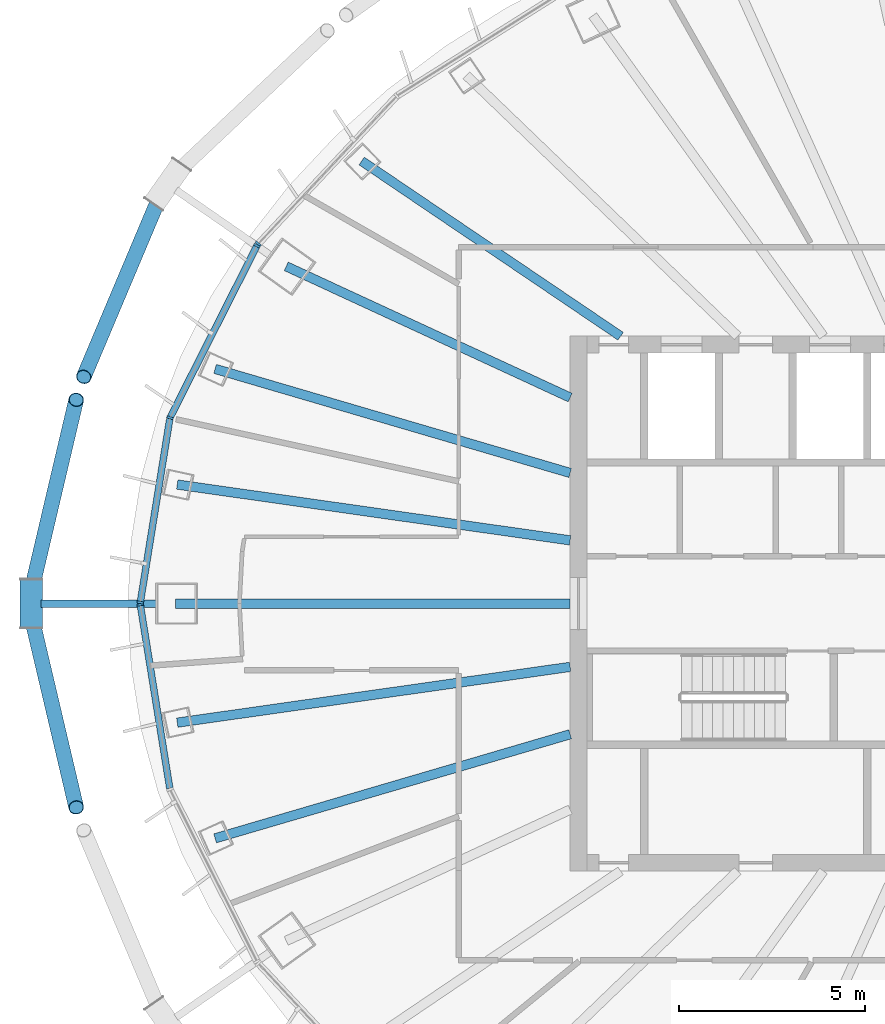
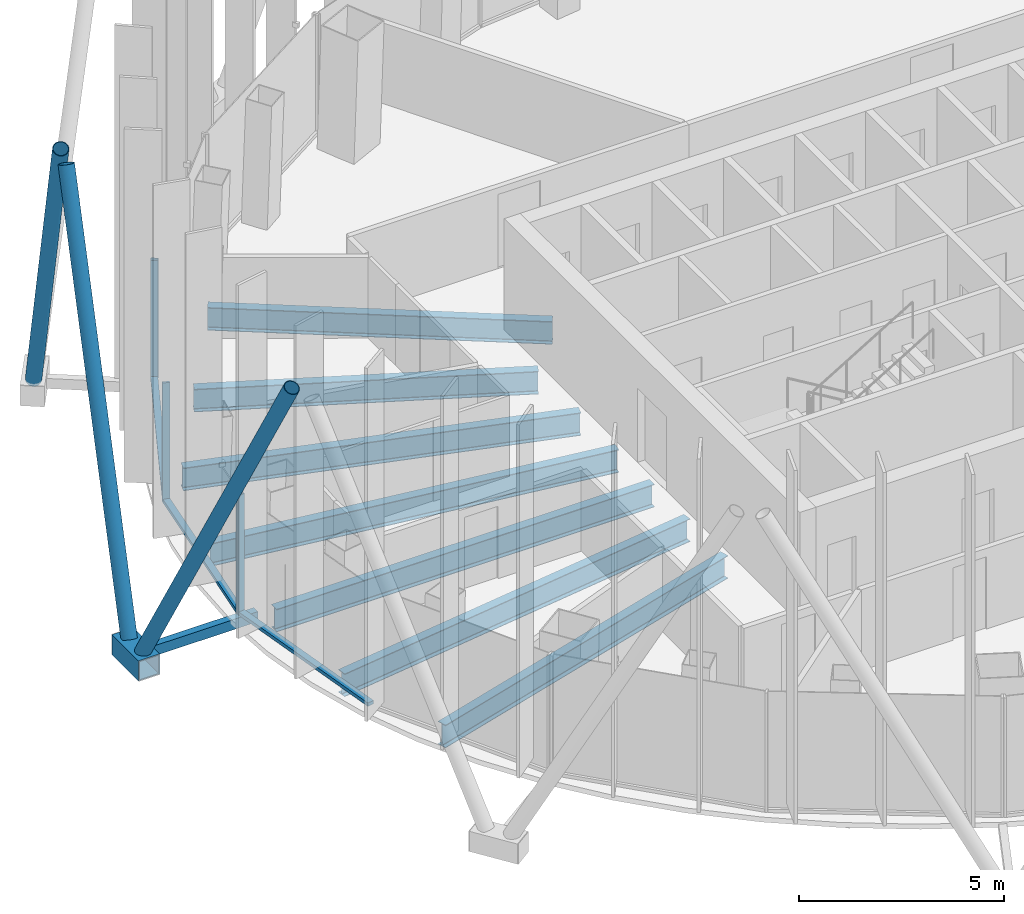
# One storey, part 3 of 19: 13 members, 7 beams, 3 elements without a shape of their own.
"""IFC4 building model written with IfcOpenShell, lengths in metres."""

from ifc_helpers import new_model, si_unit, direction, frame, origin, origin_2d, place, context, subcontext, project, spatial, rectangle, hollow_rectangle, hollow_circle, i_section, extrude, material, layer, layer_set, material_profile, profile_set, type_object, element, aggregate, save


model = new_model("IFC4")

# Units and contexts
model_context = context("Model", 3, precision=1e-05, world=origin(), true_north=direction((0.0, 1.0)))
body_context = subcontext(model_context, "Body", "Model", "MODEL_VIEW")
ifc_project = project(units=[si_unit("LENGTHUNIT", "METRE"), si_unit("AREAUNIT", "SQUARE_METRE"), si_unit("VOLUMEUNIT", "CUBIC_METRE"), si_unit("PLANEANGLEUNIT", "RADIAN"), si_unit("MASSUNIT", "GRAM", prefix="KILO")], contexts=[model_context])

# Site, building, storey
site_placement = place(None, origin())
site = spatial("IfcSite", under=ifc_project, at=site_placement, CompositionType="ELEMENT")
building_placement = place(site_placement, origin())
building = spatial("IfcBuilding", under=site, at=building_placement, Name="Siaravel Broadcast Tower", CompositionType="ELEMENT")
storey_placement = place(building_placement, frame((0.0, 0.0, 168.199951171875)))
storey = spatial("IfcBuildingStorey", under=building, at=storey_placement, Name="L40", CompositionType="ELEMENT", Elevation=168.199951171875)

# Beams
ifc_material_1 = material(Name="Steel S355", Category="steel")
ifc_material_profile_1 = material_profile(ifc_material_1, i_section(OverallWidth=0.2529296875, OverallDepth=0.677978515625, WebThickness=0.01171875, FlangeThickness=0.01611328125, FilletRadius=0.01513671875, at=origin_2d()))
ifc_profile_set_1 = profile_set([ifc_material_profile_1], Name="Steel S355")
beam_type = type_object("IfcBeamType", Name="BM-UB 686x254x125", PredefinedType="BEAM", material=ifc_profile_set_1)
beam_1_placement = place(storey_placement, frame((-17.6123046875, 11.9169921875, -0.489013671875), z_axis=(0.828215309, -0.56041003, 0.0), x_axis=(0.56041003, 0.828215309, 0.0)))
element("IfcBeam", 1, at=beam_1_placement, inside=storey, type_object=beam_type, Name="Radial beam RB15", PredefinedType="BEAM", context=body_context, shape_type="SweptSolid", body=[
    extrude(i_section(OverallWidth=0.2529296875, OverallDepth=0.677978515625, WebThickness=0.01171875, FlangeThickness=0.01611328125, FilletRadius=0.01513671875, at=origin_2d()), origin(), (0.0, 0.0, 1.0), 8.417236328125),
])
beam_2_placement = place(storey_placement, frame((-19.643798828125, 9.081298828125, -0.489013671875), z_axis=(0.907697859, -0.419624351, 0.0), x_axis=(0.419624351, 0.907697859, 0.0)))
element("IfcBeam", 2, at=beam_2_placement, inside=storey, type_object=beam_type, Name="Radial beam RB16", PredefinedType="BEAM", context=body_context, shape_type="SweptSolid", body=[
    extrude(i_section(OverallWidth=0.2529296875, OverallDepth=0.677978515625, WebThickness=0.01171875, FlangeThickness=0.01611328125, FilletRadius=0.01513671875, at=origin_2d()), origin(), (0.0, 0.0, 1.0), 8.421142578125),
])
beam_3_placement = place(storey_placement, frame((-21.55908203125, 6.320556640625, -0.489013671875), z_axis=(0.959609837, -0.281334252, 0.0), x_axis=(0.281334252, 0.959609837, 0.0)))
element("IfcBeam", 3, at=beam_3_placement, inside=storey, type_object=beam_type, Name="Radial beam RB17", PredefinedType="BEAM", context=body_context, shape_type="SweptSolid", body=[
    extrude(i_section(OverallWidth=0.2529296875, OverallDepth=0.677978515625, WebThickness=0.01171875, FlangeThickness=0.01611328125, FilletRadius=0.01513671875, at=origin_2d()), origin(), (0.0, 0.0, 1.0), 9.96142578125),
])
beam_4_placement = place(storey_placement, frame((-22.578369140625, 3.20556640625, -0.489013671875), z_axis=(0.990070236, -0.140573567, 0.0), x_axis=(0.140573567, 0.990070236, 0.0)))
element("IfcBeam", 4, at=beam_4_placement, inside=storey, type_object=beam_type, Name="Radial beam RB18", PredefinedType="BEAM", context=body_context, shape_type="SweptSolid", body=[
    extrude(i_section(OverallWidth=0.2529296875, OverallDepth=0.677978515625, WebThickness=0.01171875, FlangeThickness=0.01611328125, FilletRadius=0.01513671875, at=origin_2d()), origin(), (0.0, 0.0, 1.0), 10.6845703125),
])
beam_5_placement = place(storey_placement, frame((-22.62060546875, 0.0, -0.489013671875), z_axis=(1.0, 0.0, 0.0), x_axis=(0.0, 1.0, 0.0)))
element("IfcBeam", 5, at=beam_5_placement, inside=storey, type_object=beam_type, Name="Radial beam RB19", PredefinedType="BEAM", context=body_context, shape_type="SweptSolid", body=[
    extrude(i_section(OverallWidth=0.2529296875, OverallDepth=0.677978515625, WebThickness=0.01171875, FlangeThickness=0.01611328125, FilletRadius=0.01513671875, at=origin_2d()), origin(), (0.0, 0.0, 1.0), 10.62060546875),
])
beam_6_placement = place(storey_placement, frame((-22.578369140625, -3.20556640625, -0.489013671875), z_axis=(0.990070236, 0.140573567, 0.0), x_axis=(-0.140573567, 0.990070236, 0.0)))
element("IfcBeam", 6, at=beam_6_placement, inside=storey, type_object=beam_type, Name="Radial beam RB20", PredefinedType="BEAM", context=body_context, shape_type="SweptSolid", body=[
    extrude(i_section(OverallWidth=0.2529296875, OverallDepth=0.677978515625, WebThickness=0.01171875, FlangeThickness=0.01611328125, FilletRadius=0.01513671875, at=origin_2d()), origin(), (0.0, 0.0, 1.0), 10.6845703125),
])
beam_7_placement = place(storey_placement, frame((-21.55908203125, -6.320556640625, -0.489013671875), z_axis=(0.959609837, 0.281334252, 0.0), x_axis=(-0.281334252, 0.959609837, 0.0)))
element("IfcBeam", 7, at=beam_7_placement, inside=storey, type_object=beam_type, Name="Radial beam RB21", PredefinedType="BEAM", context=body_context, shape_type="SweptSolid", body=[
    extrude(i_section(OverallWidth=0.2529296875, OverallDepth=0.677978515625, WebThickness=0.01171875, FlangeThickness=0.01611328125, FilletRadius=0.01513671875, at=origin_2d()), origin(), (0.0, 0.0, 1.0), 9.96142578125),
])

# Curtain wall, member
ifc_material_2 = material(Name="Aluminium 6063-T6", Category="aluminium")
ifc_layer = layer(ifc_material_2, 0.179931640625)
ifc_layer_set = layer_set([ifc_layer], Name="Aluminium 6063-T6")
curtain_wall_type = type_object("IfcCurtainWallType", Name="Unitised curtain wall, zone 3", PredefinedType="NOTDEFINED", material=ifc_layer_set)
curtain_wall_1_placement = place(storey_placement, origin())
curtain_wall_1 = element("IfcCurtainWall", 8, at=curtain_wall_1_placement, inside=storey, type_object=curtain_wall_type, Name="L40 Unitised curtain wall, zone 3 05", PredefinedType="NOTDEFINED")
ifc_material_profile_2 = material_profile(ifc_material_2, rectangle(XDim=0.179931640625, YDim=0.06005859375, at=origin_2d()))
ifc_profile_set_2 = profile_set([ifc_material_profile_2], Name="Aluminium 6063-T6")
member_type_1 = type_object("IfcMemberType", Name="CW-Z3 mullion", PredefinedType="MULLION", material=ifc_profile_set_2)
member_1_placement = place(storey_placement, frame((-20.396728515625, 9.68701171875, 0.0), z_axis=(0.0, 0.0, 1.0), x_axis=(0.729804878, -0.683655498, 0.0)))
member_1 = element("IfcMember", 9, at=member_1_placement, type_object=member_type_1, Name="CW-Z3 mullion 3", PredefinedType="MULLION", context=body_context, shape_type="SweptSolid", body=[
    extrude(rectangle(XDim=0.179931640625, YDim=0.06005859375, at=origin_2d()), origin(), (0.0, 0.0, 1.0), 3.550048828125),
])
aggregate(curtain_wall_1, [member_1])

# Curtain wall, members
curtain_wall_2_placement = place(storey_placement, origin())
curtain_wall_2 = element("IfcCurtainWall", 10, at=curtain_wall_2_placement, inside=storey, type_object=curtain_wall_type, Name="L40 Unitised curtain wall, zone 3 06", PredefinedType="NOTDEFINED")
member_2_placement = place(storey_placement, frame((-20.430908203125, 9.63818359375, 0.0), z_axis=(0.0, 0.0, 1.0), x_axis=(0.892391915, -0.4512612, 0.0)))
member_2 = element("IfcMember", 11, at=member_2_placement, type_object=member_type_1, Name="CW-Z3 mullion 1", PredefinedType="MULLION", context=body_context, shape_type="SweptSolid", body=[
    extrude(rectangle(XDim=0.179931640625, YDim=0.06005859375, at=origin_2d()), origin(), (0.0, 0.0, 1.0), 3.550048828125),
])
member_3_placement = place(storey_placement, frame((-22.7744140625, 5.003662109375, 0.0), z_axis=(0.0, 0.0, 1.0), x_axis=(0.951177137, -0.308645515, 0.0)))
member_3 = element("IfcMember", 12, at=member_3_placement, type_object=member_type_1, Name="CW-Z3 mullion 2", PredefinedType="MULLION", context=body_context, shape_type="SweptSolid", body=[
    extrude(rectangle(XDim=0.179931640625, YDim=0.06005859375, at=origin_2d()), origin(), (0.0, 0.0, 1.0), 3.550048828125),
])
member_4_placement = place(storey_placement, frame((-23.573974609375, 0.029541015625, 0.0), z_axis=(0.0, 0.0, 1.0), x_axis=(0.98732916, -0.15868563, 0.0)))
member_4 = element("IfcMember", 13, at=member_4_placement, type_object=member_type_1, Name="CW-Z3 mullion 3", PredefinedType="MULLION", context=body_context, shape_type="SweptSolid", body=[
    extrude(rectangle(XDim=0.179931640625, YDim=0.06005859375, at=origin_2d()), origin(), (0.0, 0.0, 1.0), 3.550048828125),
])

# Curtain wall, member
curtain_wall_3_placement = place(storey_placement, origin())
curtain_wall_3 = element("IfcCurtainWall", 14, at=curtain_wall_3_placement, inside=storey, type_object=curtain_wall_type, Name="L40 Unitised curtain wall, zone 3 07", PredefinedType="NOTDEFINED")
member_5_placement = place(storey_placement, frame((-23.573974609375, -0.029541015625, 0.0), z_axis=(0.0, 0.0, 1.0), x_axis=(0.98732916, 0.15868563, 0.0)))
member_5 = element("IfcMember", 15, at=member_5_placement, type_object=member_type_1, Name="CW-Z3 mullion 1", PredefinedType="MULLION", context=body_context, shape_type="SweptSolid", body=[
    extrude(rectangle(XDim=0.179931640625, YDim=0.06005859375, at=origin_2d()), origin(), (0.0, 0.0, 1.0), 3.550048828125),
])

# Member
ifc_material_profile_3 = material_profile(ifc_material_2, rectangle(XDim=0.179931640625, YDim=0.10009765625, at=origin_2d()))
ifc_profile_set_3 = profile_set([ifc_material_profile_3], Name="Aluminium 6063-T6")
member_type_2 = type_object("IfcMemberType", Name="CW-Z3 transom", PredefinedType="USERDEFINED", material=ifc_profile_set_3)
member_6_placement = place(storey_placement, frame((-20.4443359375, 9.611572265625, 0.050048828125), z_axis=(-0.451279947, -0.892382435, 0.0), x_axis=(0.892382435, -0.451279947, 0.0)))
member_6 = element("IfcMember", 16, at=member_6_placement, type_object=member_type_2, Name="CW-Z3 transom 1", ObjectType="TRANSOM", PredefinedType="USERDEFINED", context=body_context, shape_type="SweptSolid", body=[
    extrude(rectangle(XDim=0.179931640625, YDim=0.10009765625, at=origin_2d()), origin(), (0.0, 0.0, 1.0), 5.133544921875),
])

member_7_placement = place(storey_placement, frame((-22.779296875, 4.97412109375, 0.050048828125), z_axis=(-0.158654191, -0.987334213, 0.0), x_axis=(0.987334213, -0.158654191, 0.0)))
member_7 = element("IfcMember", 17, at=member_7_placement, type_object=member_type_2, Name="CW-Z3 transom 2", ObjectType="TRANSOM", PredefinedType="USERDEFINED", context=body_context, shape_type="SweptSolid", body=[
    extrude(rectangle(XDim=0.179931640625, YDim=0.10009765625, at=origin_2d()), origin(), (0.0, 0.0, 1.0), 4.97802734375),
])

aggregate(curtain_wall_2, [member_2, member_3, member_4, member_6, member_7])

member_8_placement = place(storey_placement, frame((-23.569091796875, -0.05908203125, 0.050048828125), z_axis=(0.158654191, -0.987334213, 0.0), x_axis=(0.987334213, 0.158654191, 0.0)))
member_8 = element("IfcMember", 18, at=member_8_placement, type_object=member_type_2, Name="CW-Z3 transom 1", ObjectType="TRANSOM", PredefinedType="USERDEFINED", context=body_context, shape_type="SweptSolid", body=[
    extrude(rectangle(XDim=0.179931640625, YDim=0.10009765625, at=origin_2d()), origin(), (0.0, 0.0, 1.0), 4.97802734375),
])

aggregate(curtain_wall_3, [member_5, member_8])

# Members
ifc_material_3 = material(Name="Steel S460", Category="steel")
ifc_material_profile_4 = material_profile(ifc_material_3, hollow_circle(Radius=0.203125, WallThickness=0.01611328125, at=origin_2d()))
ifc_profile_set_4 = profile_set([ifc_material_profile_4], Name="Steel S460")
member_type_3 = type_object("IfcMemberType", Name="Diagrid diagonal CHS 406.4x16", PredefinedType="BRACE", material=ifc_profile_set_4)
member_9_placement = place(storey_placement, frame((-23.0205078125, 11.027099609375, 0.070068359375), z_axis=(-0.175489566, -0.415980615, 0.892279967), x_axis=(0.921365951, -0.388696263, 0.0)))
element("IfcMember", 19, at=member_9_placement, inside=storey, type_object=member_type_3, Name="Diagrid diagonal R17 station 30A", PredefinedType="BRACE", context=body_context, shape_type="SweptSolid", body=[
    extrude(hollow_circle(Radius=0.203125, WallThickness=0.01611328125, at=origin_2d()), origin(), (0.0, 0.0, 1.0), 11.8349609375),
])
for number, where, z_axis, x_axis, name in (
    (20, (-26.5126953125, 0.323486328125, 0.070068359375), (0.102731704, 0.437079711, 0.893536526), (-0.97347205, 0.22880596, 0.0), "Diagrid diagonal R17 station 36C"),
    (21, (-26.5126953125, -0.323486328125, 0.070068359375), (0.102731704, -0.437079711, 0.893536526), (0.97347205, 0.22880596, 0.0), "Diagrid diagonal R17 station 36A"),
):
    element("IfcMember", number, at=place(storey_placement, frame(where, z_axis=z_axis, x_axis=x_axis)), inside=storey, type_object=member_type_3, Name=name, PredefinedType="BRACE", context=body_context, shape_type="SweptSolid", body=[
        extrude(hollow_circle(Radius=0.203125, WallThickness=0.01611328125, at=origin_2d()), origin(), (0.0, 0.0, 1.0), 11.818359375),
    ])
ifc_material_profile_5 = material_profile(ifc_material_3, hollow_rectangle(XDim=0.60009765625, YDim=0.60009765625, WallThickness=0.031982421875, at=origin_2d()))
ifc_profile_set_5 = profile_set([ifc_material_profile_5], Name="Steel S460")
member_type_4 = type_object("IfcMemberType", Name="Diagrid node BOX 600x600x32", PredefinedType="USERDEFINED", material=ifc_profile_set_5)
member_10_placement = place(storey_placement, frame((-26.5126953125, 0.646728515625, -0.199951171875), z_axis=(0.0, -1.0, 0.0), x_axis=(1.0, 0.0, 0.0)))
element("IfcMember", 22, at=member_10_placement, inside=storey, type_object=member_type_4, Name="Diagrid node R17 station 36", ObjectType="DIAGRID NODE", PredefinedType="USERDEFINED", context=body_context, shape_type="SweptSolid", body=[
    extrude(hollow_rectangle(XDim=0.60009765625, YDim=0.60009765625, WallThickness=0.031982421875, at=origin_2d()), origin(), (0.0, 0.0, 1.0), 1.29345703125),
])
ifc_material_profile_6 = material_profile(ifc_material_3, hollow_rectangle(XDim=0.199951171875, YDim=0.300048828125, WallThickness=0.012451171875, at=origin_2d()))
ifc_profile_set_6 = profile_set([ifc_material_profile_6], Name="Steel S460")
member_type_5 = type_object("IfcMemberType", Name="Diagrid node arm RHS 300x200x12.5", PredefinedType="STRUT", material=ifc_profile_set_6)
member_11_placement = place(storey_placement, frame((-23.140625, 0.0, -0.199951171875), z_axis=(-1.0, 0.0, 0.0), x_axis=(0.0, -1.0, 0.0)))
element("IfcMember", 23, at=member_11_placement, inside=storey, type_object=member_type_5, Name="Node arm R17 station 36", PredefinedType="STRUT", context=body_context, shape_type="SweptSolid", body=[
    extrude(hollow_rectangle(XDim=0.199951171875, YDim=0.300048828125, WallThickness=0.012451171875, at=origin_2d()), origin(), (0.0, 0.0, 1.0), 3.102294921875),
])

save(model, "model.ifc")
